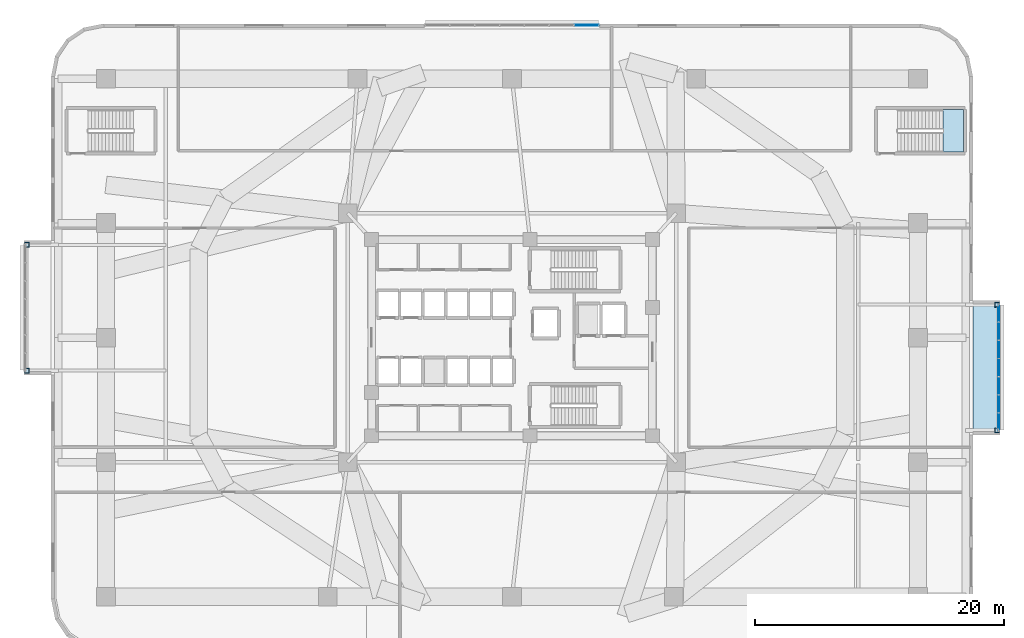
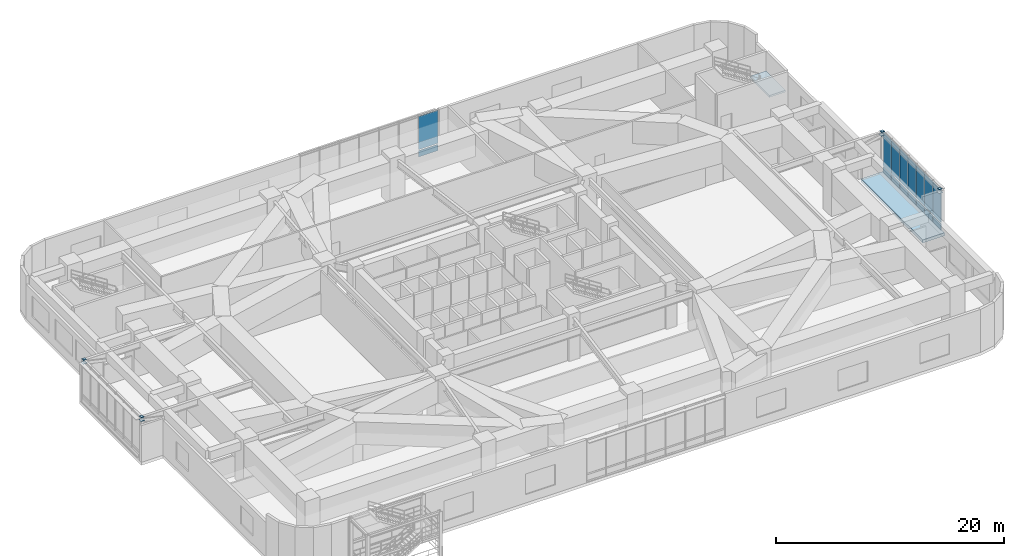
# One storey, part 16 of 26: 24 plates, 2 slabs, 3 elements without a shape of their own.
"""IFC4 building model written with IfcOpenShell, lengths in metres."""

from ifc_helpers import new_model, si_unit, direction, frame, origin, origin_2d, place, context, subcontext, project, spatial, polyline, rectangle, outline, extrude, material, layer, layer_set, type_object, element, aggregate, save


model = new_model("IFC4")

# Units and contexts
model_context = context("Model", 3, precision=1e-05, world=origin(), true_north=direction((0.0, 1.0)))
body_context = subcontext(model_context, "Body", "Model", "MODEL_VIEW")
ifc_project = project(units=[si_unit("LENGTHUNIT", "METRE"), si_unit("AREAUNIT", "SQUARE_METRE"), si_unit("VOLUMEUNIT", "CUBIC_METRE"), si_unit("PLANEANGLEUNIT", "RADIAN"), si_unit("MASSUNIT", "GRAM", prefix="KILO")], contexts=[model_context])

# Site, building, storey
site_placement = place(None, origin())
site = spatial("IfcSite", under=ifc_project, at=site_placement, CompositionType="ELEMENT")
building_placement = place(site_placement, origin())
building = spatial("IfcBuilding", under=site, at=building_placement, Name="Zulverin Broadcast Headquarters", CompositionType="ELEMENT")
storey_placement = place(building_placement, frame((0.0, 0.0, 20.0)))
storey = spatial("IfcBuildingStorey", under=building, at=storey_placement, Name="L04", CompositionType="ELEMENT", Elevation=20.0)

# Curtain wall, plate
ifc_material_1 = material(Name="Pale-metal unitised podium curtain wall", Category="aluminium")
curtain_wall_type_1 = type_object("IfcCurtainWallType", Name="CW-POD", PredefinedType="USERDEFINED", material=ifc_material_1)
curtain_wall_1_placement = place(storey_placement, origin())
curtain_wall_1 = element("IfcCurtainWall", 1, at=curtain_wall_1_placement, inside=storey, type_object=curtain_wall_type_1, Name="L04 Unitised Curtain Wall CW-L04-N2", ObjectType="UNITISED CURTAIN WALL", PredefinedType="USERDEFINED")
ifc_material_2 = material(Name="Low-E double-glazed pale-silver vision glass", Category="glass")
ifc_layer_1 = layer(ifc_material_2, 0.035888671875, Name="Low-E double-glazed pale-silver vision glass", Category="glass")
ifc_layer_set_1 = layer_set([ifc_layer_1], Name="Low-E double-glazed pale-silver vision glass")
plate_type_1 = type_object("IfcPlateType", Name="CW-PNL-GLZ", PredefinedType="CURTAIN_PANEL", material=ifc_layer_set_1)
plate_1_placement = place(storey_placement, frame((43.0, 50.280029296875, 0.9150390625), z_axis=(0.0, 0.0, 1.0), x_axis=(-1.0, 0.0, 0.0)))
plate_1 = element("IfcPlate", 2, at=plate_1_placement, type_object=plate_type_1, Name="CW-L04-N2 Vision Panel 00", PredefinedType="CURTAIN_PANEL", context=body_context, shape_type="SweptSolid", body=[
    extrude(rectangle(XDim=1.9599609375, YDim=0.035888671875, at=origin_2d()), origin(), (0.0, 0.0, 1.0), 3.544921875),
])

# Curtain wall, plates
ifc_material_3 = material(Name="Acoustic triple-glazed studio box curtain wall", Category="aluminium")
curtain_wall_type_2 = type_object("IfcCurtainWallType", Name="CW-SBOX", PredefinedType="USERDEFINED", material=ifc_material_3)
curtain_wall_2_placement = place(storey_placement, origin())
curtain_wall_2 = element("IfcCurtainWall", 3, at=curtain_wall_2_placement, inside=storey, type_object=curtain_wall_type_2, Name="L04 Unitised Curtain Wall CW-L04-SBOX_POD_UPPER_E1-F", ObjectType="UNITISED CURTAIN WALL", PredefinedType="USERDEFINED")
plate_2_placement = place(storey_placement, frame((76.080078125, 18.44580078125, 0.9150390625), z_axis=(0.0, 0.0, 1.0), x_axis=(0.0, 1.0, 0.0)))
plate_2 = element("IfcPlate", 4, at=plate_2_placement, type_object=plate_type_1, Name="CW-L04-SBOX_POD_UPPER_E1-F Vision Panel 00", PredefinedType="CURTAIN_PANEL", context=body_context, shape_type="SweptSolid", body=[
    extrude(rectangle(XDim=1.411376953125, YDim=0.035888671875, at=origin_2d()), origin(), (0.0, 0.0, 1.0), 3.544921875),
])
plate_3_placement = place(storey_placement, frame((76.080078125, 19.897216796875, 0.9150390625), z_axis=(0.0, 0.0, 1.0), x_axis=(0.0, 1.0, 0.0)))
plate_3 = element("IfcPlate", 5, at=plate_3_placement, type_object=plate_type_1, Name="CW-L04-SBOX_POD_UPPER_E1-F Vision Panel 01", PredefinedType="CURTAIN_PANEL", context=body_context, shape_type="SweptSolid", body=[
    extrude(rectangle(XDim=1.411376953125, YDim=0.035888671875, at=origin_2d()), origin(), (0.0, 0.0, 1.0), 3.544921875),
])
plate_4_placement = place(storey_placement, frame((76.080078125, 21.3486328125, 0.9150390625), z_axis=(0.0, 0.0, 1.0), x_axis=(0.0, 1.0, 0.0)))
plate_4 = element("IfcPlate", 6, at=plate_4_placement, type_object=plate_type_1, Name="CW-L04-SBOX_POD_UPPER_E1-F Vision Panel 02", PredefinedType="CURTAIN_PANEL", context=body_context, shape_type="SweptSolid", body=[
    extrude(rectangle(XDim=1.411376953125, YDim=0.035888671875, at=origin_2d()), origin(), (0.0, 0.0, 1.0), 3.544921875),
])
plate_5_placement = place(storey_placement, frame((76.080078125, 22.800048828125, 0.9150390625), z_axis=(0.0, 0.0, 1.0), x_axis=(0.0, 1.0, 0.0)))
plate_5 = element("IfcPlate", 7, at=plate_5_placement, type_object=plate_type_1, Name="CW-L04-SBOX_POD_UPPER_E1-F Vision Panel 03", PredefinedType="CURTAIN_PANEL", context=body_context, shape_type="SweptSolid", body=[
    extrude(rectangle(XDim=1.411376953125, YDim=0.035888671875, at=origin_2d()), origin(), (0.0, 0.0, 1.0), 3.544921875),
])
plate_6_placement = place(storey_placement, frame((76.080078125, 24.25146484375, 0.9150390625), z_axis=(0.0, 0.0, 1.0), x_axis=(0.0, 1.0, 0.0)))
plate_6 = element("IfcPlate", 8, at=plate_6_placement, type_object=plate_type_1, Name="CW-L04-SBOX_POD_UPPER_E1-F Vision Panel 04", PredefinedType="CURTAIN_PANEL", context=body_context, shape_type="SweptSolid", body=[
    extrude(rectangle(XDim=1.411376953125, YDim=0.035888671875, at=origin_2d()), origin(), (0.0, 0.0, 1.0), 3.544921875),
])
plate_7_placement = place(storey_placement, frame((76.080078125, 25.702880859375, 0.9150390625), z_axis=(0.0, 0.0, 1.0), x_axis=(0.0, 1.0, 0.0)))
plate_7 = element("IfcPlate", 9, at=plate_7_placement, type_object=plate_type_1, Name="CW-L04-SBOX_POD_UPPER_E1-F Vision Panel 05", PredefinedType="CURTAIN_PANEL", context=body_context, shape_type="SweptSolid", body=[
    extrude(rectangle(XDim=1.411376953125, YDim=0.035888671875, at=origin_2d()), origin(), (0.0, 0.0, 1.0), 3.544921875),
])
plate_8_placement = place(storey_placement, frame((76.080078125, 27.154296875, 0.9150390625), z_axis=(0.0, 0.0, 1.0), x_axis=(0.0, 1.0, 0.0)))
plate_8 = element("IfcPlate", 10, at=plate_8_placement, type_object=plate_type_1, Name="CW-L04-SBOX_POD_UPPER_E1-F Vision Panel 06", PredefinedType="CURTAIN_PANEL", context=body_context, shape_type="SweptSolid", body=[
    extrude(rectangle(XDim=1.411376953125, YDim=0.035888671875, at=origin_2d()), origin(), (0.0, 0.0, 1.0), 3.544921875),
])

# Plate
ifc_material_4 = material(Name="Insulated brushed pale-aluminium spandrel cassette", Category="aluminium")
ifc_layer_2 = layer(ifc_material_4, 0.050048828125, Name="Insulated brushed pale-aluminium spandrel cassette", Category="aluminium")
ifc_layer_set_2 = layer_set([ifc_layer_2], Name="Insulated brushed pale-aluminium spandrel cassette")
plate_type_2 = type_object("IfcPlateType", Name="CW-PNL-SPN", PredefinedType="CURTAIN_PANEL", material=ifc_layer_set_2)
plate_9_placement = place(storey_placement, frame((43.0, 50.280029296875, 0.139892578125), z_axis=(0.0, 0.0, 1.0), x_axis=(-1.0, 0.0, 0.0)))
plate_9 = element("IfcPlate", 11, at=plate_9_placement, type_object=plate_type_2, Name="CW-L04-N2 Spandrel Cassette 00", PredefinedType="CURTAIN_PANEL", context=body_context, shape_type="SweptSolid", body=[
    extrude(rectangle(XDim=1.9599609375, YDim=0.050048828125, at=origin_2d()), origin(), (0.0, 0.0, 1.0), 0.64501953125),
])

aggregate(curtain_wall_1, [plate_9, plate_1])

plate_10_placement = place(storey_placement, frame((76.080078125, 18.44580078125, 0.139892578125), z_axis=(0.0, 0.0, 1.0), x_axis=(0.0, 1.0, 0.0)))
plate_10 = element("IfcPlate", 12, at=plate_10_placement, type_object=plate_type_2, Name="CW-L04-SBOX_POD_UPPER_E1-F Spandrel Cassette 00", PredefinedType="CURTAIN_PANEL", context=body_context, shape_type="SweptSolid", body=[
    extrude(rectangle(XDim=1.411376953125, YDim=0.050048828125, at=origin_2d()), origin(), (0.0, 0.0, 1.0), 0.64501953125),
])

plate_11_placement = place(storey_placement, frame((76.080078125, 19.897216796875, 0.139892578125), z_axis=(0.0, 0.0, 1.0), x_axis=(0.0, 1.0, 0.0)))
plate_11 = element("IfcPlate", 13, at=plate_11_placement, type_object=plate_type_2, Name="CW-L04-SBOX_POD_UPPER_E1-F Spandrel Cassette 01", PredefinedType="CURTAIN_PANEL", context=body_context, shape_type="SweptSolid", body=[
    extrude(rectangle(XDim=1.411376953125, YDim=0.050048828125, at=origin_2d()), origin(), (0.0, 0.0, 1.0), 0.64501953125),
])

plate_12_placement = place(storey_placement, frame((76.080078125, 21.3486328125, 0.139892578125), z_axis=(0.0, 0.0, 1.0), x_axis=(0.0, 1.0, 0.0)))
plate_12 = element("IfcPlate", 14, at=plate_12_placement, type_object=plate_type_2, Name="CW-L04-SBOX_POD_UPPER_E1-F Spandrel Cassette 02", PredefinedType="CURTAIN_PANEL", context=body_context, shape_type="SweptSolid", body=[
    extrude(rectangle(XDim=1.411376953125, YDim=0.050048828125, at=origin_2d()), origin(), (0.0, 0.0, 1.0), 0.64501953125),
])

plate_13_placement = place(storey_placement, frame((76.080078125, 22.800048828125, 0.139892578125), z_axis=(0.0, 0.0, 1.0), x_axis=(0.0, 1.0, 0.0)))
plate_13 = element("IfcPlate", 15, at=plate_13_placement, type_object=plate_type_2, Name="CW-L04-SBOX_POD_UPPER_E1-F Spandrel Cassette 03", PredefinedType="CURTAIN_PANEL", context=body_context, shape_type="SweptSolid", body=[
    extrude(rectangle(XDim=1.411376953125, YDim=0.050048828125, at=origin_2d()), origin(), (0.0, 0.0, 1.0), 0.64501953125),
])

plate_14_placement = place(storey_placement, frame((76.080078125, 24.25146484375, 0.139892578125), z_axis=(0.0, 0.0, 1.0), x_axis=(0.0, 1.0, 0.0)))
plate_14 = element("IfcPlate", 16, at=plate_14_placement, type_object=plate_type_2, Name="CW-L04-SBOX_POD_UPPER_E1-F Spandrel Cassette 04", PredefinedType="CURTAIN_PANEL", context=body_context, shape_type="SweptSolid", body=[
    extrude(rectangle(XDim=1.411376953125, YDim=0.050048828125, at=origin_2d()), origin(), (0.0, 0.0, 1.0), 0.64501953125),
])

plate_15_placement = place(storey_placement, frame((76.080078125, 25.702880859375, 0.139892578125), z_axis=(0.0, 0.0, 1.0), x_axis=(0.0, 1.0, 0.0)))
plate_15 = element("IfcPlate", 17, at=plate_15_placement, type_object=plate_type_2, Name="CW-L04-SBOX_POD_UPPER_E1-F Spandrel Cassette 05", PredefinedType="CURTAIN_PANEL", context=body_context, shape_type="SweptSolid", body=[
    extrude(rectangle(XDim=1.411376953125, YDim=0.050048828125, at=origin_2d()), origin(), (0.0, 0.0, 1.0), 0.64501953125),
])

plate_16_placement = place(storey_placement, frame((76.080078125, 27.154296875, 0.139892578125), z_axis=(0.0, 0.0, 1.0), x_axis=(0.0, 1.0, 0.0)))
plate_16 = element("IfcPlate", 18, at=plate_16_placement, type_object=plate_type_2, Name="CW-L04-SBOX_POD_UPPER_E1-F Spandrel Cassette 06", PredefinedType="CURTAIN_PANEL", context=body_context, shape_type="SweptSolid", body=[
    extrude(rectangle(XDim=1.411376953125, YDim=0.050048828125, at=origin_2d()), origin(), (0.0, 0.0, 1.0), 0.64501953125),
])

aggregate(curtain_wall_2, [plate_10, plate_2, plate_11, plate_3, plate_12, plate_4, plate_13, plate_5, plate_14, plate_6, plate_15, plate_7, plate_16, plate_8])

# Plates
ifc_material_5 = material(Name="Structural steel S355JR", Category="steel")
ifc_layer_3 = layer(ifc_material_5, 0.02490234375, Name="Structural steel S355JR", Category="steel")
ifc_layer_set_3 = layer_set([ifc_layer_3], Name="Structural steel S355JR")
plate_type_3 = type_object("IfcPlateType", Name="PLT-NODE-SBN1", PredefinedType="SHEET", material=ifc_layer_set_3)
plate_17_placement = place(storey_placement, frame((75.949951171875, 17.75, 4.59765625), z_axis=(0.0, 0.0, 1.0), x_axis=(1.0, 0.0, 0.0)))
element("IfcPlate", 19, at=plate_17_placement, inside=storey, type_object=plate_type_3, Name="SBN-1 Studio Box Post End Cap Plate L04-SBOX_POD_UPPER_E1-1", PredefinedType="SHEET", context=body_context, shape_type="SweptSolid", body=[
    extrude(rectangle(XDim=0.300048828125, YDim=0.300048828125, at=origin_2d()), origin(), (0.0, 0.0, 1.0), 0.02490234375),
])
plate_18_placement = place(storey_placement, frame((75.949951171875, 17.75, 4.237548828125), z_axis=(0.0, 0.0, 1.0), x_axis=(1.0, 0.0, 0.0)))
element("IfcPlate", 20, at=plate_18_placement, inside=storey, type_object=plate_type_3, Name="SBN-1 Studio Box Node Gusset Plate L04-SBOX_POD_UPPER_E1-1", PredefinedType="SHEET", context=body_context, shape_type="SweptSolid", body=[
    extrude(rectangle(XDim=0.419921875, YDim=0.419921875, at=origin_2d()), origin(), (0.0, 0.0, 1.0), 0.02490234375),
])
plate_19_placement = place(storey_placement, frame((75.949951171875, 27.85009765625, 4.59765625), z_axis=(0.0, 0.0, 1.0), x_axis=(1.0, 0.0, 0.0)))
element("IfcPlate", 21, at=plate_19_placement, inside=storey, type_object=plate_type_3, Name="SBN-1 Studio Box Post End Cap Plate L04-SBOX_POD_UPPER_E1-2", PredefinedType="SHEET", context=body_context, shape_type="SweptSolid", body=[
    extrude(rectangle(XDim=0.300048828125, YDim=0.300048828125, at=origin_2d()), origin(), (0.0, 0.0, 1.0), 0.02490234375),
])
plate_20_placement = place(storey_placement, frame((75.949951171875, 27.85009765625, 4.237548828125), z_axis=(0.0, 0.0, 1.0), x_axis=(1.0, 0.0, 0.0)))
element("IfcPlate", 22, at=plate_20_placement, inside=storey, type_object=plate_type_3, Name="SBN-1 Studio Box Node Gusset Plate L04-SBOX_POD_UPPER_E1-2", PredefinedType="SHEET", context=body_context, shape_type="SweptSolid", body=[
    extrude(rectangle(XDim=0.419921875, YDim=0.419921875, at=origin_2d()), origin(), (0.0, 0.0, 1.0), 0.02490234375),
])
plate_21_placement = place(storey_placement, frame((-1.949951171875, 22.550048828125, 4.59765625), z_axis=(0.0, 0.0, 1.0), x_axis=(1.0, 0.0, 0.0)))
element("IfcPlate", 23, at=plate_21_placement, inside=storey, type_object=plate_type_3, Name="SBN-1 Studio Box Post End Cap Plate L04-SBOX_POD_UPPER_W1-1", PredefinedType="SHEET", context=body_context, shape_type="SweptSolid", body=[
    extrude(rectangle(XDim=0.300048828125, YDim=0.300048828125, at=origin_2d()), origin(), (0.0, 0.0, 1.0), 0.02490234375),
])
plate_22_placement = place(storey_placement, frame((-1.949951171875, 22.550048828125, 4.237548828125), z_axis=(0.0, 0.0, 1.0), x_axis=(1.0, 0.0, 0.0)))
element("IfcPlate", 24, at=plate_22_placement, inside=storey, type_object=plate_type_3, Name="SBN-1 Studio Box Node Gusset Plate L04-SBOX_POD_UPPER_W1-1", PredefinedType="SHEET", context=body_context, shape_type="SweptSolid", body=[
    extrude(rectangle(XDim=0.419921875, YDim=0.419921875, at=origin_2d()), origin(), (0.0, 0.0, 1.0), 0.02490234375),
])
plate_23_placement = place(storey_placement, frame((-1.949951171875, 32.64990234375, 4.59765625), z_axis=(0.0, 0.0, 1.0), x_axis=(1.0, 0.0, 0.0)))
element("IfcPlate", 25, at=plate_23_placement, inside=storey, type_object=plate_type_3, Name="SBN-1 Studio Box Post End Cap Plate L04-SBOX_POD_UPPER_W1-2", PredefinedType="SHEET", context=body_context, shape_type="SweptSolid", body=[
    extrude(rectangle(XDim=0.300048828125, YDim=0.300048828125, at=origin_2d()), origin(), (0.0, 0.0, 1.0), 0.02490234375),
])
plate_24_placement = place(storey_placement, frame((-1.949951171875, 32.64990234375, 4.237548828125), z_axis=(0.0, 0.0, 1.0), x_axis=(1.0, 0.0, 0.0)))
element("IfcPlate", 26, at=plate_24_placement, inside=storey, type_object=plate_type_3, Name="SBN-1 Studio Box Node Gusset Plate L04-SBOX_POD_UPPER_W1-2", PredefinedType="SHEET", context=body_context, shape_type="SweptSolid", body=[
    extrude(rectangle(XDim=0.419921875, YDim=0.419921875, at=origin_2d()), origin(), (0.0, 0.0, 1.0), 0.02490234375),
])

# Slab
ifc_material_6 = material(Name="Concrete C40/50", Category="concrete")
ifc_layer_4 = layer(ifc_material_6, 0.320068359375, Name="Concrete C40/50", Category="concrete")
ifc_layer_set_4 = layer_set([ifc_layer_4], Name="Concrete C40/50")
slab_type_1 = type_object("IfcSlabType", Name="SLB-POD-320", PredefinedType="FLOOR", material=ifc_layer_set_4)
slab_1_placement = place(storey_placement, frame((0.0, 0.0, -0.320068359375)))
element("IfcSlab", 27, at=slab_1_placement, inside=storey, type_object=slab_type_1, Name="L04 Shifted Broadcast Studio Box Floor Slab SBOX_POD_UPPER_E1", PredefinedType="FLOOR", context=body_context, shape_type="SweptSolid", body=[
    extrude(outline(polyline([(74.0, 17.39990234375), (76.199951171875, 17.39990234375), (76.199951171875, 28.199951171875), (74.0, 28.199951171875), (74.0, 17.39990234375)])), origin(), (0.0, 0.0, 1.0), 0.320068359375),
])

# Stair, slab
stair_type = type_object("IfcStairType", Name="ST-POD-1600", PredefinedType="HALF_TURN_STAIR", material=ifc_material_6)
stair_placement = place(storey_placement, origin())
stair = element("IfcStair", 28, at=stair_placement, inside=storey, type_object=stair_type, Name="L04 Podium Exit Stair ST-4", PredefinedType="HALF_TURN_STAIR")
ifc_layer_5 = layer(ifc_material_6, 0.199951171875, Name="Concrete C40/50", Category="concrete")
ifc_layer_set_5 = layer_set([ifc_layer_5], Name="Concrete C40/50")
slab_type_2 = type_object("IfcSlabType", Name="SLB-ST-LND200", PredefinedType="LANDING", material=ifc_layer_set_5)
slab_2_placement = place(storey_placement, frame((0.0, 0.0, 2.300048828125)))
slab_2 = element("IfcSlab", 29, at=slab_2_placement, type_object=slab_type_2, Name="ST-4 landing 1", PredefinedType="LANDING", context=body_context, shape_type="SweptSolid", body=[
    extrude(outline(polyline([(71.610107421875, 40.10009765625), (73.25, 40.10009765625), (73.25, 43.5), (71.610107421875, 43.5), (71.610107421875, 40.10009765625)])), origin(), (0.0, 0.0, 1.0), 0.199951171875),
])
aggregate(stair, [slab_2])

save(model, "model.ifc")
